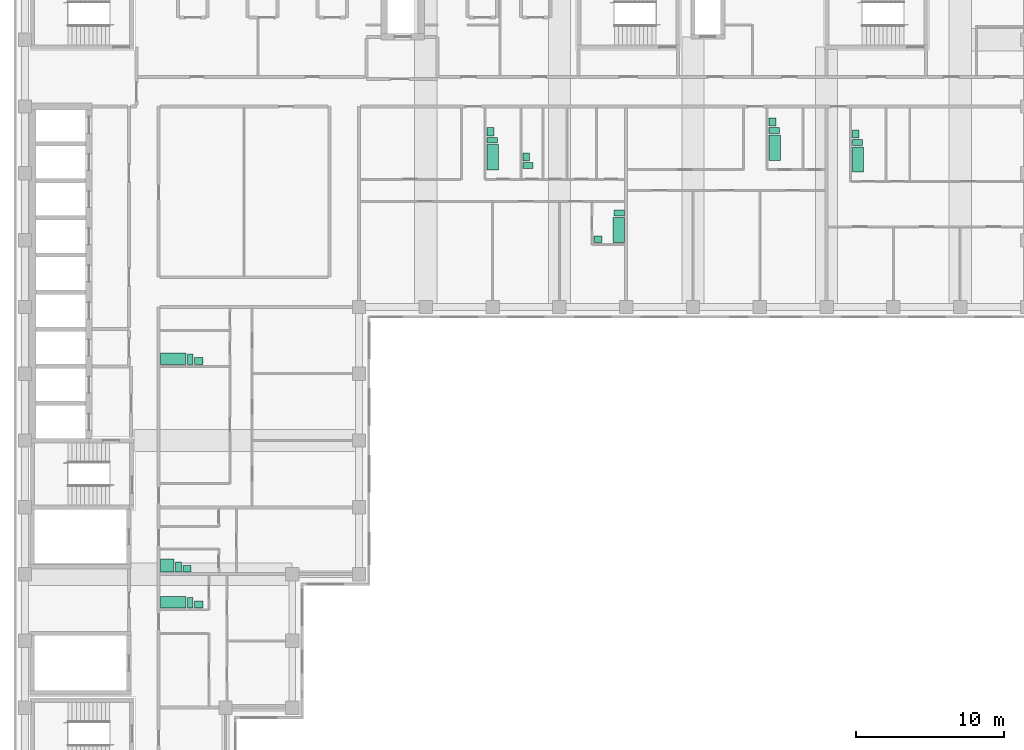
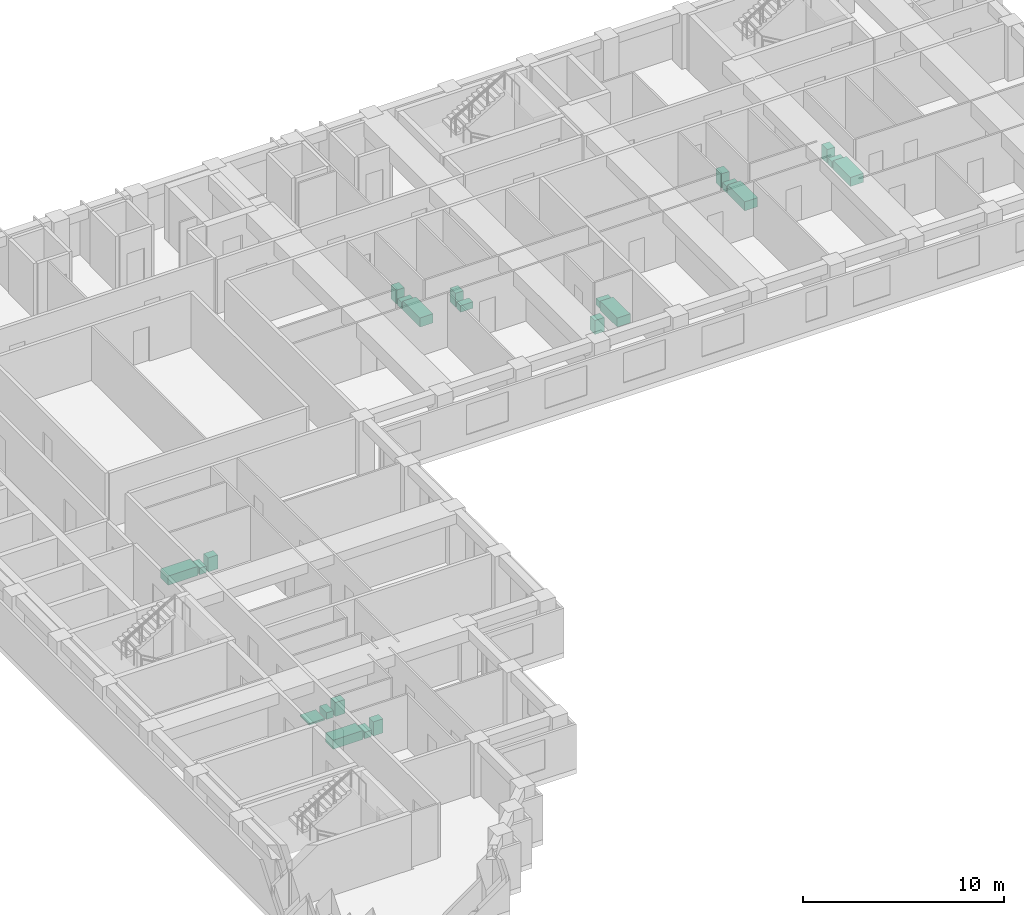
# One storey, part 11 of 11: 23 sanitary terminals.
"""IFC4 building model written with IfcOpenShell, lengths in metres."""

from ifc_helpers import new_model, si_unit, direction, frame, origin, origin_2d, place, context, subcontext, project, spatial, rectangle, extrude, material, type_object, element, save


model = new_model("IFC4")

# Units and contexts
model_context = context("Model", 3, precision=1e-05, world=origin(), true_north=direction((0.0, 1.0)))
body_context = subcontext(model_context, "Body", "Model", "MODEL_VIEW")
ifc_project = project(units=[si_unit("LENGTHUNIT", "METRE"), si_unit("AREAUNIT", "SQUARE_METRE"), si_unit("VOLUMEUNIT", "CUBIC_METRE"), si_unit("PLANEANGLEUNIT", "RADIAN"), si_unit("MASSUNIT", "GRAM", prefix="KILO")], contexts=[model_context])

# Site, building, storey
site_placement = place(None, origin())
site = spatial("IfcSite", under=ifc_project, at=site_placement, CompositionType="ELEMENT")
building_placement = place(site_placement, origin())
building = spatial("IfcBuilding", under=site, at=building_placement, Name="Firuza Court", CompositionType="ELEMENT")
storey_placement = place(building_placement, frame((0.0, 0.0, 179.0)))
storey = spatial("IfcBuildingStorey", under=building, at=storey_placement, Name="L45", CompositionType="ELEMENT", Elevation=179.0)

# Sanitary terminals
ifc_material_1 = material(Name="Vitreous china", Category="ceramic")
sanitary_terminal_type_1 = type_object("IfcSanitaryTerminalType", Name="Fixture Bath", PredefinedType="BATH", material=ifc_material_1)
for number, where, z_axis, x_axis, name in (
    (1, (31.5048828125, 46.080078125, 0.0), (0.0, 0.0, 1.0), (1.0, 0.0, 0.0), "Bath"),
    (2, (39.9951171875, 41.179931640625, 0.0), (0.0, 0.0, 1.0), (1.0, 0.0, 0.0), "Bath"),
    (3, (50.5048828125, 46.72998046875, 0.0), (0.0, 0.0, 1.0), (1.0, 0.0, 0.0), "Bath"),
    (4, (56.10498046875, 45.929931640625, 0.0), (0.0, 0.0, 1.0), (1.0, 0.0, 0.0), "Bath"),
):
    element("IfcSanitaryTerminal", number, at=place(storey_placement, frame(where, z_axis=z_axis, x_axis=x_axis)), inside=storey, type_object=sanitary_terminal_type_1, Name=name, PredefinedType="BATH", context=body_context, shape_type="SweptSolid", body=[
        extrude(rectangle(XDim=0.75, YDim=1.699951171875, at=origin_2d()), origin(), (0.0, 0.0, 1.0), 0.550048828125),
    ])
for number, where, z_axis, x_axis, name in (
    (5, (9.97998046875, 32.5048828125, 0.0), (0.0, 0.0, 1.0), (1.0, 0.0, 0.0), "Bath"),
    (6, (9.97998046875, 16.10498046875, 0.0), (0.0, 0.0, 1.0), (1.0, 0.0, 0.0), "Bath"),
):
    element("IfcSanitaryTerminal", number, at=place(storey_placement, frame(where, z_axis=z_axis, x_axis=x_axis)), inside=storey, type_object=sanitary_terminal_type_1, Name=name, PredefinedType="BATH", context=body_context, shape_type="SweptSolid", body=[
        extrude(rectangle(XDim=1.699951171875, YDim=0.75, at=origin_2d()), origin(), (0.0, 0.0, 1.0), 0.550048828125),
    ])
ifc_material_2 = material(Name="Vitreous china", Category="ceramic")
sanitary_terminal_type_2 = type_object("IfcSanitaryTerminalType", Name="Fixture Shower tray", PredefinedType="SHOWER", material=ifc_material_2)
sanitary_terminal_1_placement = place(storey_placement, frame((9.580078125, 18.580078125, 0.0), z_axis=(0.0, 0.0, 1.0), x_axis=(1.0, 0.0, 0.0)))
element("IfcSanitaryTerminal", 7, at=sanitary_terminal_1_placement, inside=storey, type_object=sanitary_terminal_type_2, Name="Shower tray", PredefinedType="SHOWER", context=body_context, shape_type="SweptSolid", body=[
    extrude(rectangle(XDim=0.89990234375, YDim=0.89990234375, at=origin_2d()), origin(), (0.0, 0.0, 1.0), 0.10009765625),
])
ifc_material_3 = material(Name="Vitreous china", Category="ceramic")
sanitary_terminal_type_3 = type_object("IfcSanitaryTerminalType", Name="Fixture WC pan", PredefinedType="TOILETPAN", material=ifc_material_3)
for number, where, z_axis, x_axis, name in (
    (8, (31.47998046875, 47.22998046875, 0.0), (0.0, 0.0, 1.0), (1.0, 0.0, 0.0), "WC pan"),
    (9, (33.8798828125, 45.530029296875, 0.0), (0.0, 0.0, 1.0), (1.0, 0.0, 0.0), "WC pan"),
    (10, (40.02001953125, 42.330078125, 0.0), (0.0, 0.0, 1.0), (1.0, 0.0, 0.0), "WC pan"),
    (11, (50.47998046875, 47.8798828125, 0.0), (0.0, 0.0, 1.0), (1.0, 0.0, 0.0), "WC pan"),
    (12, (56.080078125, 47.080078125, 0.0), (0.0, 0.0, 1.0), (1.0, 0.0, 0.0), "WC pan"),
):
    element("IfcSanitaryTerminal", number, at=place(storey_placement, frame(where, z_axis=z_axis, x_axis=x_axis)), inside=storey, type_object=sanitary_terminal_type_3, Name=name, PredefinedType="TOILETPAN", context=body_context, shape_type="SweptSolid", body=[
        extrude(rectangle(XDim=0.699951171875, YDim=0.39990234375, at=origin_2d()), origin(), (0.0, 0.0, 1.0), 0.39990234375),
    ])
for number, where, z_axis, x_axis, name in (
    (13, (11.1298828125, 32.47998046875, 0.0), (0.0, 0.0, 1.0), (1.0, 0.0, 0.0), "WC pan"),
    (14, (10.330078125, 18.47998046875, 0.0), (0.0, 0.0, 1.0), (1.0, 0.0, 0.0), "WC pan"),
    (15, (11.1298828125, 16.080078125, 0.0), (0.0, 0.0, 1.0), (1.0, 0.0, 0.0), "WC pan"),
):
    element("IfcSanitaryTerminal", number, at=place(storey_placement, frame(where, z_axis=z_axis, x_axis=x_axis)), inside=storey, type_object=sanitary_terminal_type_3, Name=name, PredefinedType="TOILETPAN", context=body_context, shape_type="SweptSolid", body=[
        extrude(rectangle(XDim=0.39990234375, YDim=0.699951171875, at=origin_2d()), origin(), (0.0, 0.0, 1.0), 0.39990234375),
    ])
ifc_material_4 = material(Name="Vitreous china", Category="ceramic")
sanitary_terminal_type_4 = type_object("IfcSanitaryTerminalType", Name="Fixture Washbasin", PredefinedType="WASHHANDBASIN", material=ifc_material_4)
for number, where, z_axis, x_axis, name in (
    (16, (31.35498046875, 47.804931640625, 0.0), (0.0, 0.0, 1.0), (1.0, 0.0, 0.0), "Washbasin"),
    (17, (33.7548828125, 46.10498046875, 0.0), (0.0, 0.0, 1.0), (1.0, 0.0, 0.0), "Washbasin"),
):
    element("IfcSanitaryTerminal", number, at=place(storey_placement, frame(where, z_axis=z_axis, x_axis=x_axis)), inside=storey, type_object=sanitary_terminal_type_4, Name=name, PredefinedType="WASHHANDBASIN", context=body_context, shape_type="SweptSolid", body=[
        extrude(rectangle(XDim=0.449951171875, YDim=0.550048828125, at=origin_2d()), origin(), (0.0, 0.0, 1.0), 0.85009765625),
    ])
sanitary_terminal_2_placement = place(storey_placement, frame((38.60498046875, 40.554931640625, 0.0), z_axis=(0.0, 0.0, 1.0), x_axis=(1.0, 0.0, 0.0)))
element("IfcSanitaryTerminal", 18, at=sanitary_terminal_2_placement, inside=storey, type_object=sanitary_terminal_type_4, Name="Washbasin", PredefinedType="WASHHANDBASIN", context=body_context, shape_type="SweptSolid", body=[
    extrude(rectangle(XDim=0.550048828125, YDim=0.449951171875, at=origin_2d()), origin(), (0.0, 0.0, 1.0), 0.85009765625),
])
for number, where, z_axis, x_axis, name in (
    (19, (50.35498046875, 48.455078125, 0.0), (0.0, 0.0, 1.0), (1.0, 0.0, 0.0), "Washbasin"),
    (20, (55.955078125, 47.655029296875, 0.0), (0.0, 0.0, 1.0), (1.0, 0.0, 0.0), "Washbasin"),
):
    element("IfcSanitaryTerminal", number, at=place(storey_placement, frame(where, z_axis=z_axis, x_axis=x_axis)), inside=storey, type_object=sanitary_terminal_type_4, Name=name, PredefinedType="WASHHANDBASIN", context=body_context, shape_type="SweptSolid", body=[
        extrude(rectangle(XDim=0.449951171875, YDim=0.550048828125, at=origin_2d()), origin(), (0.0, 0.0, 1.0), 0.85009765625),
    ])
for number, where, z_axis, x_axis, name in (
    (21, (11.705078125, 32.35498046875, 0.0), (0.0, 0.0, 1.0), (1.0, 0.0, 0.0), "Washbasin"),
    (22, (10.905029296875, 18.35498046875, 0.0), (0.0, 0.0, 1.0), (1.0, 0.0, 0.0), "Washbasin"),
    (23, (11.705078125, 15.955078125, 0.0), (0.0, 0.0, 1.0), (1.0, 0.0, 0.0), "Washbasin"),
):
    element("IfcSanitaryTerminal", number, at=place(storey_placement, frame(where, z_axis=z_axis, x_axis=x_axis)), inside=storey, type_object=sanitary_terminal_type_4, Name=name, PredefinedType="WASHHANDBASIN", context=body_context, shape_type="SweptSolid", body=[
        extrude(rectangle(XDim=0.550048828125, YDim=0.449951171875, at=origin_2d()), origin(), (0.0, 0.0, 1.0), 0.85009765625),
    ])

save(model, "model.ifc")
